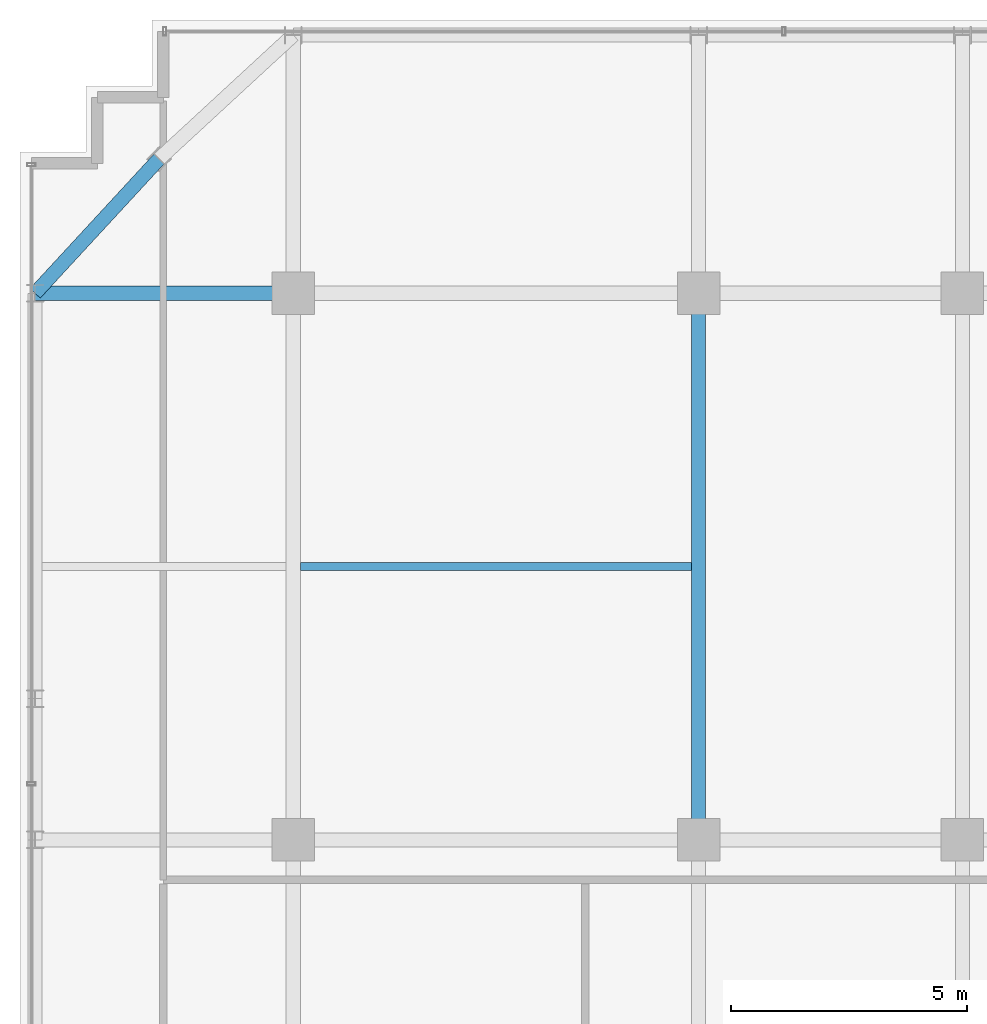
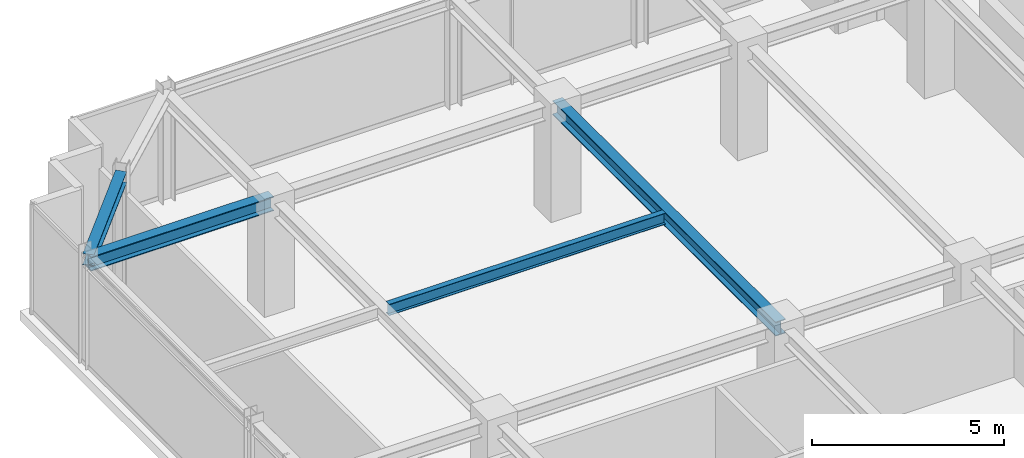
# One storey, part 16 of 33: 4 beams.
"""IFC4 building model written with IfcOpenShell, lengths in metres."""

from ifc_helpers import new_model, si_unit, direction, frame, origin, origin_2d, place, context, subcontext, project, spatial, i_section, extrude, source, transform, mapped, material, material_profile, profile_set, type_object, element, save


model = new_model("IFC4")

# Units and contexts
model_context = context("Model", 3, precision=1e-05, world=origin(), true_north=direction((0.0, 1.0)))
body_context = subcontext(model_context, "Body", "Model", "MODEL_VIEW")
ifc_project = project(units=[si_unit("LENGTHUNIT", "METRE"), si_unit("AREAUNIT", "SQUARE_METRE"), si_unit("VOLUMEUNIT", "CUBIC_METRE"), si_unit("PLANEANGLEUNIT", "RADIAN"), si_unit("MASSUNIT", "GRAM", prefix="KILO")], contexts=[model_context])

# Site, building, storey
site_placement = place(None, origin())
site = spatial("IfcSite", under=ifc_project, at=site_placement, CompositionType="ELEMENT")
building_placement = place(site_placement, origin())
building = spatial("IfcBuilding", under=site, at=building_placement, Name="Nahalor Promenade Grand Hotel", CompositionType="ELEMENT")
storey_placement = place(building_placement, frame((0.0, 0.0, 315.75)))
storey = spatial("IfcBuildingStorey", under=building, at=storey_placement, Name="L81", CompositionType="ELEMENT", Elevation=315.75)

# Beams
ifc_material = material(Name="Steel S355JR", Category="steel")
ifc_material_profile_1 = material_profile(ifc_material, i_section(OverallWidth=0.3, OverallDepth=0.45, WebThickness=0.014, FlangeThickness=0.026, at=origin_2d()), Name="HEB 450")
ifc_profile_set_1 = profile_set([ifc_material_profile_1], Name="Steel S355JR")
beam_type_1 = type_object("IfcBeamType", Name="Beam-Girder-HEB450", PredefinedType="BEAM", material=ifc_profile_set_1)
shared_shape_1 = source(origin(), body_context, "Body", "SweptSolid", [
    extrude(i_section(OverallWidth=0.3, OverallDepth=0.45, WebThickness=0.014, FlangeThickness=0.026, at=origin_2d()), origin(), (0.0, 0.0, 1.0), 11.60009765625),
])
beam_1_placement = place(storey_placement, frame((-8.39990234375, 5.39990234375, 3.27490234375), z_axis=(0.0, 1.0, 0.0), x_axis=(-1.0, 0.0, 0.0)))
element("IfcBeam", 1, at=beam_1_placement, inside=storey, type_object=beam_type_1, Name="BM-L81-GY-1-3", PredefinedType="BEAM", context=body_context, shape_type="MappedRepresentation", body=[
    mapped(shared_shape_1, transform((0.0, 0.0, 0.0), scale=1.0)),
])
shared_shape_2 = source(origin(), body_context, "Body", "SweptSolid", [
    extrude(i_section(OverallWidth=0.3, OverallDepth=0.45, WebThickness=0.014, FlangeThickness=0.026, at=origin_2d()), origin(), (0.0, 0.0, 1.0), 5.47998046875),
])
beam_2_placement = place(storey_placement, frame((-22.47998046875, 17.0, 3.27490234375), z_axis=(1.0, 0.0, 0.0), x_axis=(0.0, 1.0, 0.0)))
element("IfcBeam", 2, at=beam_2_placement, inside=storey, type_object=beam_type_1, Name="BM-L81-GX-3-0", PredefinedType="BEAM", context=body_context, shape_type="MappedRepresentation", body=[
    mapped(shared_shape_2, transform((0.0, 0.0, 0.0), scale=1.0)),
])
ifc_material_profile_2 = material_profile(ifc_material, i_section(OverallWidth=0.3, OverallDepth=0.36, WebThickness=0.0125, FlangeThickness=0.0225, at=origin_2d()), Name="HEB 360")
ifc_profile_set_2 = profile_set([ifc_material_profile_2], Name="Steel S355JR")
beam_type_2 = type_object("IfcBeamType", Name="Beam-Spandrel-HEB360", PredefinedType="SPANDREL", material=ifc_profile_set_2)
shared_shape_3 = source(origin(), body_context, "Body", "SweptSolid", [
    extrude(i_section(OverallWidth=0.3, OverallDepth=0.36, WebThickness=0.0125, FlangeThickness=0.0225, at=origin_2d()), origin(), (0.0, 0.0, 1.0), 3.878173828125),
])
beam_3_placement = place(storey_placement, frame((-19.85009765625, 19.85009765625, 3.320068359375), z_axis=(-0.678144125843, -0.73492893846, 0.0), x_axis=(0.73492893846, -0.678144125843, 0.0)))
element("IfcBeam", 3, at=beam_3_placement, inside=storey, type_object=beam_type_2, Name="BM-L81-SPC-NW-2", PredefinedType="SPANDREL", context=body_context, shape_type="MappedRepresentation", body=[
    mapped(shared_shape_3, transform((0.0, 0.0, 0.0), scale=1.0)),
])
ifc_material_profile_3 = material_profile(ifc_material, i_section(OverallWidth=0.17, OverallDepth=0.36, WebThickness=0.008, FlangeThickness=0.0127, at=origin_2d()), Name="IPE 360")
ifc_profile_set_3 = profile_set([ifc_material_profile_3], Name="Steel S355JR")
beam_type_3 = type_object("IfcBeamType", Name="Beam-Joist-IPE360", PredefinedType="JOIST", material=ifc_profile_set_3)
shared_shape_4 = source(origin(), body_context, "Body", "SweptSolid", [
    extrude(i_section(OverallWidth=0.17, OverallDepth=0.36, WebThickness=0.008, FlangeThickness=0.0127, at=origin_2d()), origin(), (0.0, 0.0, 1.0), 8.300048828125),
])
beam_4_placement = place(storey_placement, frame((-16.85009765625, 11.199951171875, 3.320068359375), z_axis=(1.0, 0.0, 0.0), x_axis=(0.0, 1.0, 0.0)))
element("IfcBeam", 4, at=beam_4_placement, inside=storey, type_object=beam_type_3, Name="BM-L81-JSW-1-1", PredefinedType="JOIST", context=body_context, shape_type="MappedRepresentation", body=[
    mapped(shared_shape_4, transform((0.0, 0.0, 0.0), scale=1.0)),
])

save(model, "model.ifc")
